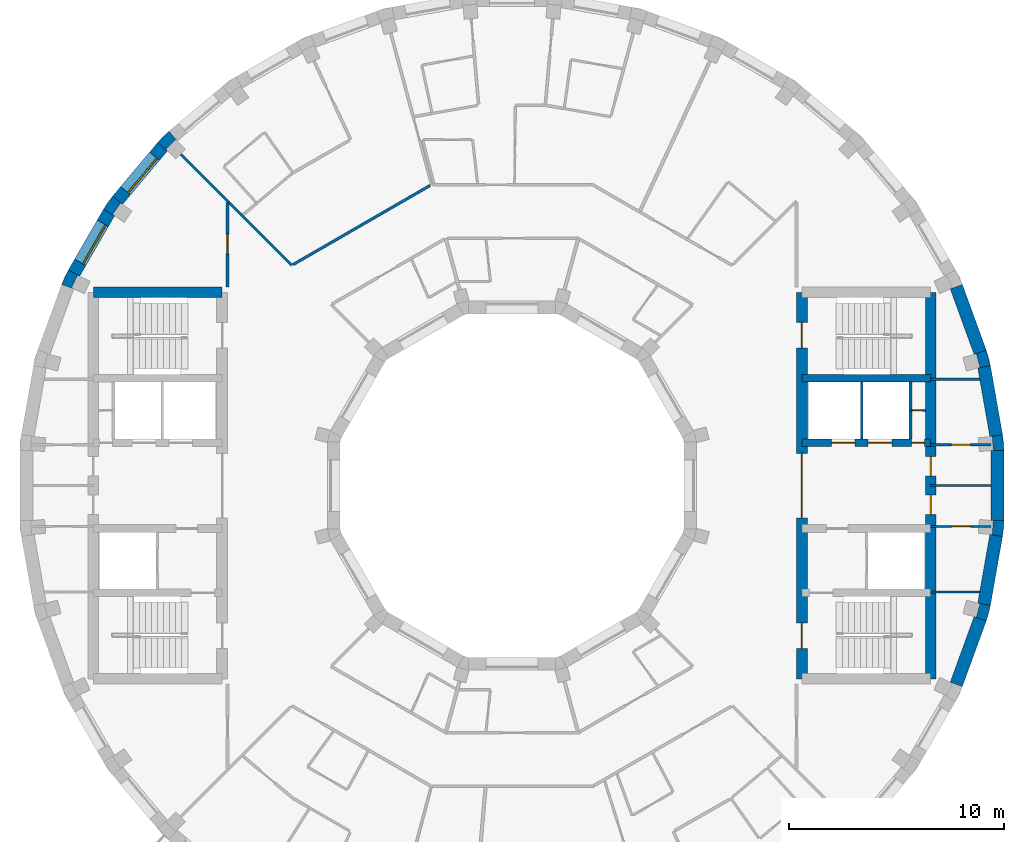
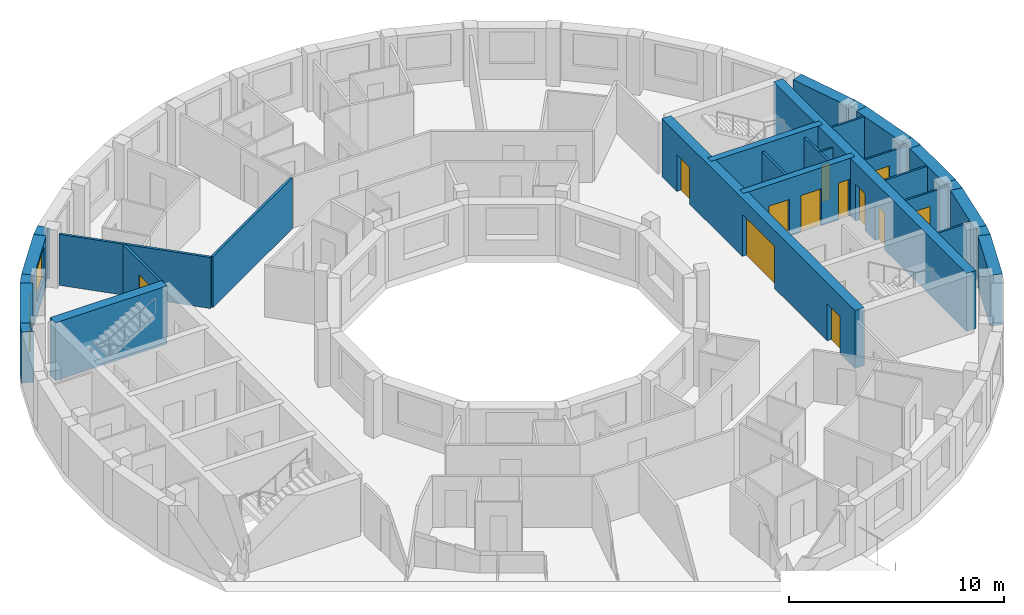
# One storey, part 8 of 12: 30 walls, 12 doors, 2 windows, 14 openings.
"""IFC4 building model written with IfcOpenShell, lengths in metres."""

import ifcopenshell
import ifcopenshell.guid

model = None  # the IFC model being written
_history = None  # IfcOwnerHistory: only IFC2X3 demands one
_inside = {}  # id of a spatial element -> (the spatial element, [elements in it])
_under = {}  # id of a project, library or spatial element -> (it, [spatial elements below it])
_declared = {}  # id of a project -> (the project, [libraries it declares])
_typed = {}  # id of a type object -> (the type object, [elements of that type])
_made_of = {}  # id of a material, layer set ... -> (it, [elements and type objects made of it])


def new_model(schema):
    """Start an empty IFC model of exactly this schema.

    Asked for "IFC4X3", IfcOpenShell would pick the latest addendum, in which some entities
    have other attributes; the version numbers below select the first issue.
    IFC2X3 requires an IfcOwnerHistory on every rooted entity: one is made here for all.
    """
    global model, _history
    if schema == "IFC4X3":
        model = ifcopenshell.file(schema_version=(4, 3, 0, 0))
    else:
        model = ifcopenshell.file(schema=schema)
    _inside.clear()
    _under.clear()
    _declared.clear()
    _typed.clear()
    _made_of.clear()
    _history = None
    if model.schema == "IFC2X3":
        org = make("IfcOrganization", Name="unknown")
        user = make(
            "IfcPersonAndOrganization",
            ThePerson=make("IfcPerson", FamilyName="unknown"),
            TheOrganization=org,
        )
        app = make(
            "IfcApplication",
            ApplicationDeveloper=org,
            Version="unknown",
            ApplicationFullName="unknown",
            ApplicationIdentifier="unknown",
        )
        _history = make(
            "IfcOwnerHistory",
            OwningUser=user,
            OwningApplication=app,
            ChangeAction="ADDED",
            CreationDate=0,
        )
    return model


def make(cls, **values):
    """One entity of the class cls with the attributes given. An attribute that is None is left unset."""
    return model.create_entity(
        cls, **{name: value for name, value in values.items() if value is not None}
    )


def rooted(cls, **values):
    """An entity with a GlobalId (a new one), such as an element, a storey or a relation."""
    return make(cls, GlobalId=ifcopenshell.guid.new(), OwnerHistory=_history, **values)


def si_unit(unit_type, name, prefix=None):
    """IfcSIUnit, for example si_unit("LENGTHUNIT", "METRE", prefix="MILLI")."""
    return make("IfcSIUnit", UnitType=unit_type, Prefix=prefix, Name=name)


def assignment(units):
    """IfcUnitAssignment: the units of a project."""
    return None if units is None else make("IfcUnitAssignment", Units=units)


def point(xyz):
    """IfcCartesianPoint."""
    return None if xyz is None else make("IfcCartesianPoint", Coordinates=xyz)


def direction(xyz):
    """IfcDirection."""
    return None if xyz is None else make("IfcDirection", DirectionRatios=xyz)


def frame(location, z_axis=None, x_axis=None):
    """IfcAxis2Placement3D, a coordinate frame: its origin and axes. An axis left out is left unset."""
    return make(
        "IfcAxis2Placement3D",
        Location=point(location),
        Axis=direction(z_axis),
        RefDirection=direction(x_axis),
    )


def frame_2d(location, x_axis=None):
    """IfcAxis2Placement2D, a coordinate frame in the plane: its origin and x axis."""
    return make(
        "IfcAxis2Placement2D", Location=point(location), RefDirection=direction(x_axis)
    )


def origin():
    """The frame at (0, 0, 0) with its axes left unset."""
    return frame((0.0, 0.0, 0.0))


def place(relative_to, where):
    """IfcLocalPlacement: puts the frame where relative to a parent placement (None: the world)."""
    return make(
        "IfcLocalPlacement", PlacementRelTo=relative_to, RelativePlacement=where
    )


def context(
    kind, dimensions, precision=None, world=None, true_north=None, identifier=None
):
    """IfcGeometricRepresentationContext, for example the 3D "Model" context."""
    return make(
        "IfcGeometricRepresentationContext",
        ContextIdentifier=identifier,
        ContextType=kind,
        CoordinateSpaceDimension=dimensions,
        Precision=precision,
        WorldCoordinateSystem=world,
        TrueNorth=true_north,
    )


def subcontext(parent, identifier, kind, view, scale=None):
    """IfcGeometricRepresentationSubContext, for example "Body" below "Model"."""
    return make(
        "IfcGeometricRepresentationSubContext",
        ContextIdentifier=identifier,
        ContextType=kind,
        ParentContext=parent,
        TargetScale=scale,
        TargetView=view,
    )


def project(units=None, contexts=None):
    """IfcProject with its units and contexts."""
    return rooted(
        "IfcProject",
        Name="project",
        RepresentationContexts=contexts,
        UnitsInContext=assignment(units),
    )


def spatial(cls, under=None, at=None, **own):
    """A site, building, storey or space (cls), placed at a placement, below another one or the project."""
    s = rooted(cls, ObjectPlacement=at, **own)
    if under is not None:
        _under.setdefault(under.id(), (under, []))[1].append(s)
    return s


def polyline(points):
    """IfcPolyline through the points."""
    return make("IfcPolyline", Points=[point(p) for p in points])


def profile(cls, at=None, kind="AREA", **sizes):
    """A parametric profile (cls). Its sizes go by their IFC names, for example OverallWidth=200.0."""
    return make(cls, ProfileType=kind, Position=at, **sizes)


def rectangle(**sizes):
    """IfcRectangleProfileDef."""
    return profile("IfcRectangleProfileDef", **sizes)


def outline(outer, holes=None, kind="AREA"):
    """IfcArbitraryClosedProfileDef: a profile drawn as a closed curve; with holes, ...WithVoids."""
    if holes is None:
        return make("IfcArbitraryClosedProfileDef", ProfileType=kind, OuterCurve=outer)
    return make(
        "IfcArbitraryProfileDefWithVoids",
        ProfileType=kind,
        OuterCurve=outer,
        InnerCurves=holes,
    )


def extrude(swept, where, along, depth):
    """IfcExtrudedAreaSolid: the profile swept, set in the frame where, extruded along a direction by depth."""
    return make(
        "IfcExtrudedAreaSolid",
        SweptArea=swept,
        Position=where,
        ExtrudedDirection=direction(along),
        Depth=depth,
    )


def shape(context_of_items, identifier, shape_type, items):
    """IfcShapeRepresentation: the items that make up one representation, for example the "Body"."""
    return make(
        "IfcShapeRepresentation",
        ContextOfItems=context_of_items,
        RepresentationIdentifier=identifier,
        RepresentationType=shape_type,
        Items=items,
    )


def material(Name=None, Category=None):
    """IfcMaterial."""
    return make("IfcMaterial", Name=Name, Category=Category)


def layer(
    of_material, thickness, ventilated=None, Name=None, Category=None, Priority=None
):
    """IfcMaterialLayer: one layer of a wall or slab, of a material (None: an air gap)."""
    return make(
        "IfcMaterialLayer",
        Material=of_material,
        LayerThickness=thickness,
        IsVentilated=ventilated,
        Name=Name,
        Category=Category,
        Priority=Priority,
    )


def layer_set(layers, Name=None):
    """IfcMaterialLayerSet."""
    return make("IfcMaterialLayerSet", MaterialLayers=layers, LayerSetName=Name)


def made_of(thing, what):
    """Note that an element or type object is made of a material, layer set ...; save() writes the relation."""
    if what is not None:
        _made_of.setdefault(what.id(), (what, []))[1].append(thing)
    return thing


def type_object(cls, material=None, **own):
    """A type object (cls), such as IfcWallType, which elements share."""
    return made_of(rooted(cls, **own), material)


def element(
    cls,
    number,
    at=None,
    inside=None,
    cuts=None,
    type_object=None,
    material=None,
    context=None,
    identifier="Body",
    shape_type=None,
    held_by="IfcProductDefinitionShape",
    body=None,
    shapes=None,
    **own,
):
    """One element of the class cls, such as IfcWall. Its Tag is "e" and its number.

    at: its placement. inside: the storey or other place that contains it. cuts: it is an
    opening in that element (IfcRelVoidsElement). A single representation is given by context,
    identifier, shape_type and body (its items); several are given by shapes. held_by: the class
    of the entity that holds the representations. save() writes the other relations.
    """
    e = rooted(cls, Tag="e%d" % number, ObjectPlacement=at, **own)
    if body is not None:
        shapes = [shape(context, identifier, shape_type, body)]
    if shapes is not None:
        e.Representation = make(held_by, Representations=shapes)
    if inside is not None:
        _inside.setdefault(inside.id(), (inside, []))[1].append(e)
    if cuts is not None:
        rooted(
            "IfcRelVoidsElement", RelatingBuildingElement=cuts, RelatedOpeningElement=e
        )
    if type_object is not None:
        _typed.setdefault(type_object.id(), (type_object, []))[1].append(e)
    return made_of(e, material)


def fill(opening, filler):
    """IfcRelFillsElement: the door or window that sits in an opening."""
    return rooted(
        "IfcRelFillsElement",
        RelatingOpeningElement=opening,
        RelatedBuildingElement=filler,
    )


def aggregate(whole, parts):
    """IfcRelAggregates: a whole, such as a stair, and the parts it consists of."""
    return rooted("IfcRelAggregates", RelatingObject=whole, RelatedObjects=parts)


def save(model, path):
    """Write the relations noted so far, then the file.

    IfcRelAggregates (storeys below a building ...), IfcRelContainedInSpatialStructure (elements
    in a storey), IfcRelDefinesByType, IfcRelAssociatesMaterial and IfcRelDeclares: one each for
    every whole, place, type object, material and project.
    """
    for whole, parts in _under.values():
        aggregate(whole, parts)
    for where, things in _inside.values():
        rooted(
            "IfcRelContainedInSpatialStructure",
            RelatedElements=things,
            RelatingStructure=where,
        )
    for kind, things in _typed.values():
        rooted("IfcRelDefinesByType", RelatedObjects=things, RelatingType=kind)
    for what, things in _made_of.values():
        rooted("IfcRelAssociatesMaterial", RelatedObjects=things, RelatingMaterial=what)
    for by, libraries in _declared.values():
        rooted("IfcRelDeclares", RelatingContext=by, RelatedDefinitions=libraries)
    model.write(path)


model = new_model("IFC4")

# Units and contexts
model_context = context("Model", 3, precision=1e-05, world=origin(), true_north=direction((0.0, 1.0)))
body_context = subcontext(model_context, "Body", "Model", "MODEL_VIEW")
ifc_project = project(units=[si_unit("LENGTHUNIT", "METRE"), si_unit("AREAUNIT", "SQUARE_METRE"), si_unit("VOLUMEUNIT", "CUBIC_METRE"), si_unit("PLANEANGLEUNIT", "RADIAN"), si_unit("MASSUNIT", "GRAM", prefix="KILO")], contexts=[model_context])

# Site, building, storey
site_placement = place(None, origin())
site = spatial("IfcSite", under=ifc_project, at=site_placement, CompositionType="ELEMENT")
building_placement = place(site_placement, origin())
building = spatial("IfcBuilding", under=site, at=building_placement, Name="Saqina Gate Tower", CompositionType="ELEMENT")
storey_placement = place(building_placement, frame((0.0, 0.0, 272.60009765625)))
storey = spatial("IfcBuildingStorey", under=building, at=storey_placement, Name="L78", CompositionType="ELEMENT", Elevation=272.60009765625)

# Walls
ifc_material_1 = material(Name="Brick masonry (buff)", Category="masonry")
wall_type_1 = type_object("IfcWallType", Name="BRICK PIER COPING BUFF", PredefinedType="SOLIDWALL", material=ifc_material_1)
wall_1_placement = place(storey_placement, origin())
element("IfcWall", 1, at=wall_1_placement, inside=storey, type_object=wall_type_1, Name="Pier cap L78 column 1", PredefinedType="SOLIDWALL", context=body_context, shape_type="SweptSolid", body=[
    extrude(outline(polyline([(22.91259765625, 1.625732421875), (22.8466796875, 2.377685546875), (22.255859375, 2.2734375), (22.361083984375, 2.28271484375), (22.417724609375, 1.635009765625), (22.3125, 1.625732421875), (22.91259765625, 1.625732421875)])), origin(), (0.0, 0.0, 1.0), 2.89990234375),
])
wall_2_placement = place(storey_placement, origin())
element("IfcWall", 2, at=wall_2_placement, inside=storey, type_object=wall_type_1, Name="Pier cap L78 column 2", PredefinedType="SOLIDWALL", context=body_context, shape_type="SweptSolid", body=[
    extrude(outline(polyline([(22.0869140625, 6.30859375), (21.52294921875, 6.103515625), (21.625, 6.130859375), (21.793212890625, 5.5029296875), (21.691162109375, 5.4755859375), (22.281982421875, 5.579833984375), (22.0869140625, 6.30859375)])), origin(), (0.0, 0.0, 1.0), 2.89990234375),
])
wall_3_placement = place(storey_placement, origin())
element("IfcWall", 3, at=wall_3_placement, inside=storey, type_object=wall_type_1, Name="Pier cap L78 column 14", PredefinedType="SOLIDWALL", context=body_context, shape_type="SweptSolid", body=[
    extrude(outline(polyline([(-16.5068359375, 15.973388671875), (-16.04736328125, 15.587646484375), (-16.1220703125, 15.662353515625), (-15.662353515625, 16.1220703125), (-15.587646484375, 16.04736328125), (-15.973388671875, 16.5068359375), (-16.5068359375, 15.973388671875)])), origin(), (0.0, 0.0, 1.0), 2.89990234375),
])
wall_4_placement = place(storey_placement, origin())
element("IfcWall", 4, at=wall_4_placement, inside=storey, type_object=wall_type_1, Name="Pier cap L78 column 15", PredefinedType="SOLIDWALL", context=body_context, shape_type="SweptSolid", body=[
    extrude(outline(polyline([(-19.02978515625, 12.8642578125), (-18.51025390625, 12.564208984375), (-18.596923828125, 12.625), (-18.22412109375, 13.157470703125), (-18.137451171875, 13.0966796875), (-18.59716796875, 13.482421875), (-19.02978515625, 12.8642578125)])), origin(), (0.0, 0.0, 1.0), 2.89990234375),
])
wall_5_placement = place(storey_placement, origin())
element("IfcWall", 5, at=wall_5_placement, inside=storey, type_object=wall_type_1, Name="Pier cap L78 column 16", PredefinedType="SOLIDWALL", context=body_context, shape_type="SweptSolid", body=[
    extrude(outline(polyline([(-20.65576171875, 10.048095703125), (-20.974609375, 9.3642578125), (-20.410888671875, 9.1591796875), (-20.506591796875, 9.203857421875), (-20.23193359375, 9.79296875), (-20.135986328125, 9.748291015625), (-20.65576171875, 10.048095703125)])), origin(), (0.0, 0.0, 1.0), 2.89990234375),
])
wall_6_placement = place(storey_placement, origin())
element("IfcWall", 6, at=wall_6_placement, inside=storey, type_object=wall_type_1, Name="Pier cap L78 column 35", PredefinedType="SOLIDWALL", context=body_context, shape_type="SweptSolid", body=[
    extrude(outline(polyline([(22.281982421875, -5.579833984375), (21.691162109375, -5.4755859375), (21.793212890625, -5.5029296875), (21.625, -6.130859375), (21.52294921875, -6.103515625), (22.0869140625, -6.30859375), (22.281982421875, -5.579833984375)])), origin(), (0.0, 0.0, 1.0), 2.89990234375),
])
wall_7_placement = place(storey_placement, origin())
element("IfcWall", 7, at=wall_7_placement, inside=storey, type_object=wall_type_1, Name="Pier cap L78 column 36", PredefinedType="SOLIDWALL", context=body_context, shape_type="SweptSolid", body=[
    extrude(outline(polyline([(22.8466796875, -2.377685546875), (22.91259765625, -1.625732421875), (22.3125, -1.625732421875), (22.417724609375, -1.635009765625), (22.361083984375, -2.28271484375), (22.255859375, -2.2734375), (22.8466796875, -2.377685546875)])), origin(), (0.0, 0.0, 1.0), 2.89990234375),
])

# Wall, opening, door
ifc_material_2 = material(Name="Gypsum board on steel studs", Category="steel")
ifc_layer_1 = layer(ifc_material_2, 0.10009765625)
ifc_layer_set_1 = layer_set([ifc_layer_1], Name="CORE PARTITION")
wall_type_2 = type_object("IfcWallType", Name="CORE PARTITION", PredefinedType="PARTITIONING", material=ifc_layer_set_1)
wall_8_placement = place(storey_placement, frame((18.56005859375, 3.5, 0.0), z_axis=(0.0, 0.0, 1.0), x_axis=(1.0, 0.0, 0.0)))
wall_8 = element("IfcWall", 8, at=wall_8_placement, inside=storey, type_object=wall_type_2, Name="L78-CP-E01", PredefinedType="PARTITIONING", context=body_context, shape_type="SweptSolid", body=[
    extrude(rectangle(XDim=0.68994140625, YDim=0.10009765625, at=frame_2d((0.344970703125, 0.0))), origin(), (0.0, 0.0, 1.0), 2.89990234375),
])
opening_1_placement = place(wall_8_placement, frame((0.10009765625, 0.0, 0.0)))
opening_1 = element("IfcOpeningElement", 9, at=opening_1_placement, cuts=wall_8, Name="Opening G23-D96", PredefinedType="OPENING", context=body_context, shape_type="SweptSolid", body=[
    extrude(rectangle(XDim=0.449951171875, YDim=2.10009765625, at=frame_2d((0.22509765625, 1.050048828125))), frame((0.0, 0.06201171875, 0.0), z_axis=(0.0, -1.0, 0.0), x_axis=(1.0, 0.0, 0.0)), (0.0, 0.0, 1.0), 0.1240234375),
])
ifc_material_3 = material(Name="Steel-framed fire door leaf, EI 60", Category="steel")
door_type_1 = type_object("IfcDoorType", Name="SERVICE ROOM DOOR 450", OperationType="SINGLE_SWING_LEFT", PredefinedType="DOOR", material=ifc_material_3)
door_1_placement = place(opening_1_placement, origin())
door_1 = element("IfcDoor", 10, at=door_1_placement, inside=storey, type_object=door_type_1, Name="L78-CD-E07", OperationType="SINGLE_SWING_RIGHT", OverallHeight=2.10009765625, OverallWidth=0.449951171875, PredefinedType="DOOR", context=body_context, shape_type="SweptSolid", body=[
    extrude(rectangle(XDim=0.449951171875, YDim=2.10009765625, at=frame_2d((0.22509765625, 1.050048828125))), frame((0.0, 0.02490234375, 0.0), z_axis=(0.0, -1.0, 0.0), x_axis=(1.0, 0.0, 0.0)), (0.0, 0.0, 1.0), 0.050048828125),
])
fill(opening_1, door_1)

# Wall
wall_9_placement = place(storey_placement, frame((19.5, 4.949951171875, 0.0), z_axis=(0.0, 0.0, 1.0), x_axis=(1.0, 0.0, 0.0)))
element("IfcWall", 11, at=wall_9_placement, inside=storey, type_object=wall_type_2, Name="L78-CP-E02", PredefinedType="PARTITIONING", context=body_context, shape_type="SweptSolid", body=[
    extrude(rectangle(XDim=2.283935546875, YDim=0.10009765625, at=frame_2d((1.14208984375, 0.0))), origin(), (0.0, 0.0, 1.0), 2.89990234375),
])

# Wall, opening, door
wall_10_placement = place(storey_placement, frame((19.5, 1.89990234375, 0.0), z_axis=(0.0, 0.0, 1.0), x_axis=(1.0, 0.0, 0.0)))
wall_10 = element("IfcWall", 12, at=wall_10_placement, inside=storey, type_object=wall_type_2, Name="L78-CP-E03", PredefinedType="PARTITIONING", context=body_context, shape_type="SweptSolid", body=[
    extrude(rectangle(XDim=2.8125, YDim=0.10009765625, at=frame_2d((1.40625, 0.0))), origin(), (0.0, 0.0, 1.0), 2.89990234375),
])
opening_2_placement = place(wall_10_placement, frame((0.956298828125, 0.0, 0.0)))
opening_2 = element("IfcOpeningElement", 13, at=opening_2_placement, cuts=wall_10, Name="Opening G23-D92", PredefinedType="OPENING", context=body_context, shape_type="SweptSolid", body=[
    extrude(rectangle(XDim=0.89990234375, YDim=2.10009765625, at=frame_2d((0.449951171875, 1.050048828125))), frame((0.0, 0.06201171875, 0.0), z_axis=(0.0, -1.0, 0.0), x_axis=(1.0, 0.0, 0.0)), (0.0, 0.0, 1.0), 0.1240234375),
])
ifc_material_4 = material(Name="Steel-framed fire door leaf, EI 60", Category="steel")
door_type_2 = type_object("IfcDoorType", Name="SERVICE ROOM DOOR 900", OperationType="SINGLE_SWING_LEFT", PredefinedType="DOOR", material=ifc_material_4)
door_2_placement = place(opening_2_placement, origin())
door_2 = element("IfcDoor", 14, at=door_2_placement, inside=storey, type_object=door_type_2, Name="L78-CD-E03", OperationType="SINGLE_SWING_RIGHT", OverallHeight=2.10009765625, OverallWidth=0.89990234375, PredefinedType="DOOR", context=body_context, shape_type="SweptSolid", body=[
    extrude(rectangle(XDim=0.89990234375, YDim=2.10009765625, at=frame_2d((0.449951171875, 1.050048828125))), frame((0.0, 0.02490234375, 0.0), z_axis=(0.0, -1.0, 0.0), x_axis=(1.0, 0.0, 0.0)), (0.0, 0.0, 1.0), 0.050048828125),
])
fill(opening_2, door_2)

# Wall
wall_11_placement = place(storey_placement, frame((19.5, -4.949951171875, 0.0), z_axis=(0.0, 0.0, 1.0), x_axis=(1.0, 0.0, 0.0)))
element("IfcWall", 15, at=wall_11_placement, inside=storey, type_object=wall_type_2, Name="L78-CP-E04", PredefinedType="PARTITIONING", context=body_context, shape_type="SweptSolid", body=[
    extrude(rectangle(XDim=2.283935546875, YDim=0.10009765625, at=frame_2d((1.14208984375, 0.0))), origin(), (0.0, 0.0, 1.0), 2.89990234375),
])

# Wall, opening, door
wall_12_placement = place(storey_placement, frame((19.5, -1.89990234375, 0.0), z_axis=(0.0, 0.0, 1.0), x_axis=(1.0, 0.0, 0.0)))
wall_12 = element("IfcWall", 16, at=wall_12_placement, inside=storey, type_object=wall_type_2, Name="L78-CP-E05", PredefinedType="PARTITIONING", context=body_context, shape_type="SweptSolid", body=[
    extrude(rectangle(XDim=2.8125, YDim=0.10009765625, at=frame_2d((1.40625, 0.0))), origin(), (0.0, 0.0, 1.0), 2.89990234375),
])
opening_3_placement = place(wall_12_placement, frame((0.956298828125, 0.0, 0.0)))
opening_3 = element("IfcOpeningElement", 17, at=opening_3_placement, cuts=wall_12, Name="Opening G23-D94", PredefinedType="OPENING", context=body_context, shape_type="SweptSolid", body=[
    extrude(rectangle(XDim=0.89990234375, YDim=2.10009765625, at=frame_2d((0.449951171875, 1.050048828125))), frame((0.0, 0.06201171875, 0.0), z_axis=(0.0, -1.0, 0.0), x_axis=(1.0, 0.0, 0.0)), (0.0, 0.0, 1.0), 0.1240234375),
])
door_3_placement = place(opening_3_placement, frame((0.89990234375, 0.0, 0.0), z_axis=(0.0, 0.0, 1.0), x_axis=(-1.0, 0.0, 0.0)))
door_3 = element("IfcDoor", 18, at=door_3_placement, inside=storey, type_object=door_type_2, Name="L78-CD-E05", OperationType="SINGLE_SWING_LEFT", OverallHeight=2.10009765625, OverallWidth=0.89990234375, PredefinedType="DOOR", context=body_context, shape_type="SweptSolid", body=[
    extrude(rectangle(XDim=0.89990234375, YDim=2.10009765625, at=frame_2d((0.449951171875, 1.050048828125))), frame((0.0, 0.02490234375, 0.0), z_axis=(0.0, -1.0, 0.0), x_axis=(1.0, 0.0, 0.0)), (0.0, 0.0, 1.0), 0.050048828125),
])
fill(opening_3, door_3)

# Wall
wall_13_placement = place(storey_placement, frame((19.5, 0.0, 0.0), z_axis=(0.0, 0.0, 1.0), x_axis=(1.0, 0.0, 0.0)))
element("IfcWall", 19, at=wall_13_placement, inside=storey, type_object=wall_type_2, Name="L78-CP-E06", PredefinedType="PARTITIONING", context=body_context, shape_type="SweptSolid", body=[
    extrude(rectangle(XDim=2.8125, YDim=0.10009765625, at=frame_2d((1.40625, 0.0))), origin(), (0.0, 0.0, 1.0), 2.89990234375),
])

# Wall, opening, window
ifc_material_5 = material(Name="Brick masonry (buff)", Category="masonry")
ifc_layer_2 = layer(ifc_material_5, 0.60009765625)
ifc_layer_set_2 = layer_set([ifc_layer_2], Name="FW-BRICK-BUFF")
wall_type_3 = type_object("IfcWallType", Name="FW-BRICK-BUFF", PredefinedType="SOLIDWALL", material=ifc_layer_set_2)
wall_14_placement = place(storey_placement, frame((-16.277099609375, 15.780517578125, 0.0), z_axis=(0.0, 0.0, 1.0), x_axis=(-0.64277291405, -0.766056773982, 0.0)))
wall_14 = element("IfcWall", 20, at=wall_14_placement, inside=storey, type_object=wall_type_3, Name="Facade wall L78 facet 14", PredefinedType="SOLIDWALL", context=body_context, shape_type="SweptSolid", body=[
    extrude(rectangle(XDim=3.251708984375, YDim=0.60009765625, at=frame_2d((1.6259765625, 0.0))), origin(), (0.0, 0.0, 1.0), 2.89990234375),
])
opening_4_placement = place(wall_14_placement, frame((0.57568359375, 0.0, 0.89990234375)))
opening_4 = element("IfcOpeningElement", 21, at=opening_4_placement, cuts=wall_14, Name="Opening G23-W12", PredefinedType="OPENING", context=body_context, shape_type="SweptSolid", body=[
    extrude(rectangle(XDim=2.10009765625, YDim=1.800048828125, at=frame_2d((1.050048828125, 0.89990234375))), frame((0.0, 0.31201171875, 0.0), z_axis=(0.0, -1.0, 0.0), x_axis=(1.0, 0.0, 0.0)), (0.0, 0.0, 1.0), 0.6240234375),
])
ifc_material_6 = material(Name="Aluminium glazing", Category="aluminium")
window_type = type_object("IfcWindowType", Name="WN-D", PartitioningType="SINGLE_PANEL", PredefinedType="WINDOW", material=ifc_material_6)
window_1_placement = place(opening_4_placement, origin())
window_1 = element("IfcWindow", 22, at=window_1_placement, inside=storey, type_object=window_type, Name="Window L78 facet 14", OverallHeight=1.800048828125, OverallWidth=2.10009765625, PartitioningType="SINGLE_PANEL", PredefinedType="WINDOW", context=body_context, shape_type="SweptSolid", body=[
    extrude(rectangle(XDim=2.10009765625, YDim=1.800048828125, at=frame_2d((1.050048828125, 0.89990234375))), frame((0.0, 0.179931640625, 0.0), z_axis=(0.0, -1.0, 0.0), x_axis=(1.0, 0.0, 0.0)), (0.0, 0.0, 1.0), 0.06005859375),
])
fill(opening_4, window_1)

wall_15_placement = place(storey_placement, frame((-18.77001953125, 12.71435546875, 0.0), z_axis=(0.0, 0.0, 1.0), x_axis=(-0.500014901547, -0.866016800201, 0.0)))
wall_15 = element("IfcWall", 23, at=wall_15_placement, inside=storey, type_object=wall_type_3, Name="Facade wall L78 facet 15", PredefinedType="SOLIDWALL", context=body_context, shape_type="SweptSolid", body=[
    extrude(rectangle(XDim=3.251953125, YDim=0.60009765625, at=frame_2d((1.6259765625, 0.0))), origin(), (0.0, 0.0, 1.0), 2.89990234375),
])
opening_5_placement = place(wall_15_placement, frame((0.57568359375, 0.0, 0.89990234375)))
opening_5 = element("IfcOpeningElement", 24, at=opening_5_placement, cuts=wall_15, Name="Opening G23-W13", PredefinedType="OPENING", context=body_context, shape_type="SweptSolid", body=[
    extrude(rectangle(XDim=2.10009765625, YDim=1.800048828125, at=frame_2d((1.050048828125, 0.89990234375))), frame((0.0, 0.31201171875, 0.0), z_axis=(0.0, -1.0, 0.0), x_axis=(1.0, 0.0, 0.0)), (0.0, 0.0, 1.0), 0.6240234375),
])
window_2_placement = place(opening_5_placement, origin())
window_2 = element("IfcWindow", 25, at=window_2_placement, inside=storey, type_object=window_type, Name="Window L78 facet 15", OverallHeight=1.800048828125, OverallWidth=2.10009765625, PartitioningType="SINGLE_PANEL", PredefinedType="WINDOW", context=body_context, shape_type="SweptSolid", body=[
    extrude(rectangle(XDim=2.10009765625, YDim=1.800048828125, at=frame_2d((1.050048828125, 0.89990234375))), frame((0.0, 0.179931640625, 0.0), z_axis=(0.0, -1.0, 0.0), x_axis=(1.0, 0.0, 0.0)), (0.0, 0.0, 1.0), 0.06005859375),
])
fill(opening_5, window_2)

# Walls
ifc_material_7 = material(Name="Glazed ceramic tile", Category="ceramic")
ifc_layer_3 = layer(ifc_material_7, 0.60009765625)
ifc_layer_set_3 = layer_set([ifc_layer_3], Name="FW-TILE")
wall_type_4 = type_object("IfcWallType", Name="FW-TILE", PredefinedType="SOLIDWALL", material=ifc_layer_set_3)
for number, where, z_axis, x_axis, name in (
    (26, (22.55126953125, 2.325439453125, 0.0), (0.0, 0.0, 1.0), (-0.173656842178, 0.984806225186, 0.0), "Facade wall L78 facet 1"),
    (27, (21.986572265625, -5.52783203125, 0.0), (0.0, 0.0, 1.0), (0.173656842178, 0.984806225186, 0.0), "Facade wall L78 facet 35"),
):
    element("IfcWall", number, at=place(storey_placement, frame(where, z_axis=z_axis, x_axis=x_axis)), inside=storey, type_object=wall_type_4, Name=name, PredefinedType="SOLIDWALL", context=body_context, shape_type="SweptSolid", body=[
        extrude(rectangle(XDim=3.251708984375, YDim=0.60009765625, at=frame_2d((1.6259765625, 0.0))), origin(), (0.0, 0.0, 1.0), 2.89990234375),
    ])
ifc_material_8 = material(Name="Glazed ceramic tile (dark blue)", Category="ceramic")
ifc_layer_4 = layer(ifc_material_8, 0.60009765625)
ifc_layer_set_4 = layer_set([ifc_layer_4], Name="FW-TILE-CB")
wall_type_5 = type_object("IfcWallType", Name="FW-TILE-CB", PredefinedType="SOLIDWALL", material=ifc_layer_set_4)
wall_16_placement = place(storey_placement, frame((22.612548828125, -1.625732421875, 0.0), z_axis=(0.0, 0.0, 1.0), x_axis=(0.0, 1.0, 0.0)))
element("IfcWall", 28, at=wall_16_placement, inside=storey, type_object=wall_type_5, Name="Facade wall L78 facet 36", PredefinedType="SOLIDWALL", context=body_context, shape_type="SweptSolid", body=[
    extrude(rectangle(XDim=3.25146484375, YDim=0.60009765625, at=frame_2d((1.625732421875, 0.0))), origin(), (0.0, 0.0, 1.0), 2.89990234375),
])
ifc_material_9 = material(Name="Glazed ceramic tile (white)", Category="ceramic")
ifc_layer_5 = layer(ifc_material_9, 0.60009765625)
ifc_layer_set_5 = layer_set([ifc_layer_5], Name="FW-TILE-WH")
wall_type_6 = type_object("IfcWallType", Name="FW-TILE-WH", PredefinedType="SOLIDWALL", material=ifc_layer_set_5)
for number, where, z_axis, x_axis, name in (
    (29, (21.804931640625, 6.2060546875, 0.0), (0.0, 0.0, 1.0), (-0.342056509473, 0.939679383794, 0.0), "Facade wall L78 facet 2"),
    (30, (20.692626953125, -9.26171875, 0.0), (0.0, 0.0, 1.0), (0.342056509473, 0.939679383794, 0.0), "Facade wall L78 facet 34"),
):
    element("IfcWall", number, at=place(storey_placement, frame(where, z_axis=z_axis, x_axis=x_axis)), inside=storey, type_object=wall_type_6, Name=name, PredefinedType="SOLIDWALL", context=body_context, shape_type="SweptSolid", body=[
        extrude(rectangle(XDim=3.251708984375, YDim=0.60009765625, at=frame_2d((1.6259765625, 0.0))), origin(), (0.0, 0.0, 1.0), 2.89990234375),
    ])
ifc_material_10 = material(Name="Gypsum board on steel studs, 125 mm, fire rated", Category="steel")
ifc_layer_6 = layer(ifc_material_10, 0.125)
ifc_layer_set_6 = layer_set([ifc_layer_6], Name="PARTITION EI 30 125")
wall_type_7 = type_object("IfcWallType", Name="PARTITION EI 30 125", PredefinedType="PARTITIONING", material=ifc_layer_set_6)
wall_17_placement = place(storey_placement, frame((-15.425537109375, 15.425537109375, 0.0), z_axis=(0.0, 0.0, 1.0), x_axis=(0.707106781187, -0.707106781187, 0.0)))
element("IfcWall", 31, at=wall_17_placement, inside=storey, type_object=wall_type_7, Name="PARTITION PW1-07", PredefinedType="PARTITIONING", context=body_context, shape_type="SweptSolid", body=[
    extrude(rectangle(XDim=7.310791015625, YDim=0.125, at=frame_2d((3.6552734375, 0.0))), origin(), (0.0, 0.0, 1.0), 2.89990234375),
])
wall_18_placement = place(storey_placement, frame((-10.201904296875, 10.287353515625, 0.0), z_axis=(0.0, 0.0, 1.0), x_axis=(0.866028642731, 0.499994389938, 0.0)))
element("IfcWall", 32, at=wall_18_placement, inside=storey, type_object=wall_type_7, Name="PARTITION PW1-29", PredefinedType="PARTITIONING", context=body_context, shape_type="SweptSolid", body=[
    extrude(rectangle(XDim=7.3828125, YDim=0.125, at=frame_2d((3.69140625, 0.0))), origin(), (0.0, 0.0, 1.0), 2.89990234375),
])

# Wall, opening, door
wall_19_placement = place(storey_placement, frame((-13.25, 9.25, 0.0), z_axis=(0.0, 0.0, 1.0), x_axis=(0.0, 1.0, 0.0)))
wall_19 = element("IfcWall", 33, at=wall_19_placement, inside=storey, type_object=wall_type_7, Name="PARTITION PW1-42", PredefinedType="PARTITIONING", context=body_context, shape_type="SweptSolid", body=[
    extrude(rectangle(XDim=3.9375, YDim=0.125, at=frame_2d((1.96875, 0.0))), origin(), (0.0, 0.0, 1.0), 2.89990234375),
])
opening_6_placement = place(wall_19_placement, frame((1.550048828125, 0.0, 0.0)))
opening_6 = element("IfcOpeningElement", 34, at=opening_6_placement, cuts=wall_19, Name="Opening G23-D20", PredefinedType="OPENING", context=body_context, shape_type="SweptSolid", body=[
    extrude(rectangle(XDim=0.89990234375, YDim=2.10009765625, at=frame_2d((0.449951171875, 1.050048828125))), frame((0.0, 0.074462890625, 0.0), z_axis=(0.0, -1.0, 0.0), x_axis=(1.0, 0.0, 0.0)), (0.0, 0.0, 1.0), 0.14892578125),
])
ifc_material_11 = material(Name="Fire door leaf EI 30, 900 mm")
door_type_3 = type_object("IfcDoorType", Name="DOOR 900 EI 30", OperationType="SINGLE_SWING_LEFT", PredefinedType="DOOR", material=ifc_material_11)
door_4_placement = place(opening_6_placement, origin())
door_4 = element("IfcDoor", 35, at=door_4_placement, inside=storey, type_object=door_type_3, Name="DOOR G23-D20", OperationType="SINGLE_SWING_RIGHT", OverallHeight=2.10009765625, OverallWidth=0.89990234375, PredefinedType="DOOR", context=body_context, shape_type="SweptSolid", body=[
    extrude(rectangle(XDim=0.89990234375, YDim=2.10009765625, at=frame_2d((0.449951171875, 1.050048828125))), frame((0.0, 0.02490234375, 0.0), z_axis=(0.0, -1.0, 0.0), x_axis=(1.0, 0.0, 0.0)), (0.0, 0.0, 1.0), 0.050048828125),
])
fill(opening_6, door_4)

# Walls
ifc_material_12 = material(Name="Autoclaved aerated concrete block", Category="concrete")
ifc_layer_7 = layer(ifc_material_12, 0.1201171875)
ifc_layer_set_7 = layer_set([ifc_layer_7], Name="SHAFT PARTITION")
wall_type_8 = type_object("IfcWallType", Name="SHAFT PARTITION", PredefinedType="PARTITIONING", material=ifc_layer_set_7)
for number, where, z_axis, x_axis, name in (
    (36, (16.280029296875, 2.175048828125, 0.0), (0.0, 0.0, 1.0), (0.0, 1.0, 0.0), "L78-CP-E07"),
    (37, (18.56005859375, 2.175048828125, 0.0), (0.0, 0.0, 1.0), (0.0, 1.0, 0.0), "L78-CP-E08"),
):
    element("IfcWall", number, at=place(storey_placement, frame(where, z_axis=z_axis, x_axis=x_axis)), inside=storey, type_object=wall_type_8, Name=name, PredefinedType="PARTITIONING", context=body_context, shape_type="SweptSolid", body=[
        extrude(rectangle(XDim=2.64990234375, YDim=0.1201171875, at=frame_2d((1.324951171875, 0.0))), origin(), (0.0, 0.0, 1.0), 2.89990234375),
    ])
ifc_material_13 = material(Name="Concrete C60/75", Category="concrete")
ifc_layer_8 = layer(ifc_material_13, 0.35009765625)
ifc_layer_set_8 = layer_set([ifc_layer_8], Name="Concrete C60/75")
wall_type_9 = type_object("IfcWallType", Name="STR-CORE WALL-D-I", PredefinedType="SHEAR", material=ifc_layer_set_8)
wall_20_placement = place(storey_placement, frame((13.5, 5.0, 0.0), z_axis=(0.0, 0.0, 1.0), x_axis=(1.0, 0.0, 0.0)))
element("IfcWall", 38, at=wall_20_placement, inside=storey, type_object=wall_type_9, Name="CORE WALL L78 E-X1", PredefinedType="SHEAR", context=body_context, shape_type="SweptSolid", body=[
    extrude(rectangle(XDim=6.0, YDim=0.35009765625, at=frame_2d((3.0, 0.0))), origin(), (0.0, 0.0, 1.0), 3.2998046875),
])

# Wall, openings, doors
wall_21_placement = place(storey_placement, frame((13.5, 2.0, 0.0), z_axis=(0.0, 0.0, 1.0), x_axis=(1.0, 0.0, 0.0)))
wall_21 = element("IfcWall", 39, at=wall_21_placement, inside=storey, type_object=wall_type_9, Name="CORE WALL L78 E-L1", PredefinedType="SHEAR", context=body_context, shape_type="SweptSolid", body=[
    extrude(rectangle(XDim=6.0, YDim=0.35009765625, at=frame_2d((3.0, 0.0))), origin(), (0.0, 0.0, 1.0), 3.2998046875),
])
opening_7_placement = place(wall_21_placement, frame((1.3701171875, 0.0, 0.0)))
opening_7 = element("IfcOpeningElement", 40, at=opening_7_placement, cuts=wall_21, Name="Opening G23-LD1", PredefinedType="OPENING", context=body_context, shape_type="SweptSolid", body=[
    extrude(rectangle(XDim=1.10009765625, YDim=2.10009765625, at=frame_2d((0.550048828125, 1.050048828125))), frame((0.0, 0.18701171875, 0.0), z_axis=(0.0, -1.0, 0.0), x_axis=(1.0, 0.0, 0.0)), (0.0, 0.0, 1.0), 0.3740234375),
])
opening_8_placement = place(wall_21_placement, frame((3.090087890625, 0.0, 0.0)))
opening_8 = element("IfcOpeningElement", 41, at=opening_8_placement, cuts=wall_21, Name="Opening G23-LD2", PredefinedType="OPENING", context=body_context, shape_type="SweptSolid", body=[
    extrude(rectangle(XDim=1.10009765625, YDim=2.10009765625, at=frame_2d((0.550048828125, 1.050048828125))), frame((0.0, 0.18701171875, 0.0), z_axis=(0.0, -1.0, 0.0), x_axis=(1.0, 0.0, 0.0)), (0.0, 0.0, 1.0), 0.3740234375),
])
opening_9_placement = place(wall_21_placement, frame((5.10498046875, 0.0, 0.0)))
opening_9 = element("IfcOpeningElement", 42, at=opening_9_placement, cuts=wall_21, Name="Opening G23-D90", PredefinedType="OPENING", context=body_context, shape_type="SweptSolid", body=[
    extrude(rectangle(XDim=0.60009765625, YDim=2.10009765625, at=frame_2d((0.300048828125, 1.050048828125))), frame((0.0, 0.18701171875, 0.0), z_axis=(0.0, -1.0, 0.0), x_axis=(1.0, 0.0, 0.0)), (0.0, 0.0, 1.0), 0.3740234375),
])
ifc_material_14 = material(Name="Stainless steel", Category="steel")
door_type_4 = type_object("IfcDoorType", Name="LANDING DOOR", OperationType="DOUBLE_DOOR_SLIDING", PredefinedType="DOOR", material=ifc_material_14)
door_5_placement = place(opening_7_placement, origin())
door_5 = element("IfcDoor", 43, at=door_5_placement, inside=storey, type_object=door_type_4, Name="LANDING DOOR HR1", OperationType="DOUBLE_DOOR_SLIDING", OverallHeight=2.10009765625, OverallWidth=1.10009765625, PredefinedType="DOOR", context=body_context, shape_type="SweptSolid", body=[
    extrude(rectangle(XDim=1.10009765625, YDim=2.10009765625, at=frame_2d((0.550048828125, 1.050048828125))), frame((0.0, 0.02490234375, 0.0), z_axis=(0.0, -1.0, 0.0), x_axis=(1.0, 0.0, 0.0)), (0.0, 0.0, 1.0), 0.050048828125),
])
fill(opening_7, door_5)
door_6_placement = place(opening_8_placement, origin())
door_6 = element("IfcDoor", 44, at=door_6_placement, inside=storey, type_object=door_type_4, Name="LANDING DOOR HR2", OperationType="DOUBLE_DOOR_SLIDING", OverallHeight=2.10009765625, OverallWidth=1.10009765625, PredefinedType="DOOR", context=body_context, shape_type="SweptSolid", body=[
    extrude(rectangle(XDim=1.10009765625, YDim=2.10009765625, at=frame_2d((0.550048828125, 1.050048828125))), frame((0.0, 0.02490234375, 0.0), z_axis=(0.0, -1.0, 0.0), x_axis=(1.0, 0.0, 0.0)), (0.0, 0.0, 1.0), 0.050048828125),
])
fill(opening_8, door_6)
ifc_material_15 = material(Name="Steel-framed fire door leaf, EI 60", Category="steel")
door_type_5 = type_object("IfcDoorType", Name="SERVICE ROOM DOOR 600", OperationType="SINGLE_SWING_LEFT", PredefinedType="DOOR", material=ifc_material_15)
door_7_placement = place(opening_9_placement, origin())
door_7 = element("IfcDoor", 45, at=door_7_placement, inside=storey, type_object=door_type_5, Name="L78-CD-E01", OperationType="SINGLE_SWING_RIGHT", OverallHeight=2.10009765625, OverallWidth=0.60009765625, PredefinedType="DOOR", context=body_context, shape_type="SweptSolid", body=[
    extrude(rectangle(XDim=0.60009765625, YDim=2.10009765625, at=frame_2d((0.300048828125, 1.050048828125))), frame((0.0, 0.02490234375, 0.0), z_axis=(0.0, -1.0, 0.0), x_axis=(1.0, 0.0, 0.0)), (0.0, 0.0, 1.0), 0.050048828125),
])
fill(opening_9, door_7)

ifc_material_16 = material(Name="Concrete C60/75", Category="concrete")
ifc_layer_9 = layer(ifc_material_16, 0.5)
ifc_layer_set_9 = layer_set([ifc_layer_9], Name="Concrete C60/75")
wall_type_10 = type_object("IfcWallType", Name="STR-CORE WALL-D-O", PredefinedType="SHEAR", material=ifc_layer_set_9)
wall_22_placement = place(storey_placement, frame((13.5, -9.0, 0.0), z_axis=(0.0, 0.0, 1.0), x_axis=(0.0, 1.0, 0.0)))
wall_22 = element("IfcWall", 46, at=wall_22_placement, inside=storey, type_object=wall_type_10, Name="CORE WALL L78 E-W1", PredefinedType="SHEAR", context=body_context, shape_type="SweptSolid", body=[
    extrude(rectangle(XDim=18.0, YDim=0.5, at=frame_2d((9.0, 0.0))), origin(), (0.0, 0.0, 1.0), 3.2998046875),
])
opening_10_placement = place(wall_22_placement, frame((15.39990234375, 0.0, 0.0)))
opening_10 = element("IfcOpeningElement", 47, at=opening_10_placement, cuts=wall_22, Name="Opening G23-D98", PredefinedType="OPENING", context=body_context, shape_type="SweptSolid", body=[
    extrude(rectangle(XDim=1.199951171875, YDim=2.10009765625, at=frame_2d((0.60009765625, 1.050048828125))), frame((0.0, 0.261962890625, 0.0), z_axis=(0.0, -1.0, 0.0), x_axis=(1.0, 0.0, 0.0)), (0.0, 0.0, 1.0), 0.52392578125),
])
opening_11_placement = place(wall_22_placement, frame((1.39990234375, 0.0, 0.0)))
opening_11 = element("IfcOpeningElement", 48, at=opening_11_placement, cuts=wall_22, Name="Opening G23-D99", PredefinedType="OPENING", context=body_context, shape_type="SweptSolid", body=[
    extrude(rectangle(XDim=1.199951171875, YDim=2.10009765625, at=frame_2d((0.60009765625, 1.050048828125))), frame((0.0, 0.261962890625, 0.0), z_axis=(0.0, -1.0, 0.0), x_axis=(1.0, 0.0, 0.0)), (0.0, 0.0, 1.0), 0.52392578125),
])
opening_12_placement = place(wall_22_placement, frame((7.5, 0.0, 0.0)))
opening_12 = element("IfcOpeningElement", 49, at=opening_12_placement, cuts=wall_22, Name="Opening G23-D100", PredefinedType="OPENING", context=body_context, shape_type="SweptSolid", body=[
    extrude(rectangle(XDim=3.0, YDim=2.39990234375, at=frame_2d((1.5, 1.199951171875))), frame((0.0, 0.261962890625, 0.0), z_axis=(0.0, -1.0, 0.0), x_axis=(1.0, 0.0, 0.0)), (0.0, 0.0, 1.0), 0.52392578125),
])
ifc_material_17 = material(Name="Steel", Category="steel")
door_type_6 = type_object("IfcDoorType", Name="FIRE DOOR EI 60", OperationType="SINGLE_SWING_LEFT", PredefinedType="DOOR", material=ifc_material_17)
door_8_placement = place(opening_10_placement, frame((1.199951171875, 0.0, 0.0), z_axis=(0.0, 0.0, 1.0), x_axis=(-1.0, 0.0, 0.0)))
door_8 = element("IfcDoor", 50, at=door_8_placement, inside=storey, type_object=door_type_6, Name="L78-CD-E09", OperationType="SINGLE_SWING_LEFT", OverallHeight=2.10009765625, OverallWidth=1.199951171875, PredefinedType="DOOR", context=body_context, shape_type="SweptSolid", body=[
    extrude(rectangle(XDim=1.199951171875, YDim=2.10009765625, at=frame_2d((0.60009765625, 1.050048828125))), frame((0.0, 0.02490234375, 0.0), z_axis=(0.0, -1.0, 0.0), x_axis=(1.0, 0.0, 0.0)), (0.0, 0.0, 1.0), 0.050048828125),
])
fill(opening_10, door_8)
door_9_placement = place(opening_11_placement, frame((1.199951171875, 0.0, 0.0), z_axis=(0.0, 0.0, 1.0), x_axis=(-1.0, 0.0, 0.0)))
door_9 = element("IfcDoor", 51, at=door_9_placement, inside=storey, type_object=door_type_6, Name="L78-CD-E10", OperationType="SINGLE_SWING_RIGHT", OverallHeight=2.10009765625, OverallWidth=1.199951171875, PredefinedType="DOOR", context=body_context, shape_type="SweptSolid", body=[
    extrude(rectangle(XDim=1.199951171875, YDim=2.10009765625, at=frame_2d((0.60009765625, 1.050048828125))), frame((0.0, 0.02490234375, 0.0), z_axis=(0.0, -1.0, 0.0), x_axis=(1.0, 0.0, 0.0)), (0.0, 0.0, 1.0), 0.050048828125),
])
fill(opening_11, door_9)
ifc_material_18 = material(Name="Steel and fire-resisting glass", Category="steel")
door_type_7 = type_object("IfcDoorType", Name="LOBBY SCREEN DOOR", OperationType="DOUBLE_DOOR_SLIDING", PredefinedType="DOOR", material=ifc_material_18)
door_10_placement = place(opening_12_placement, origin())
door_10 = element("IfcDoor", 52, at=door_10_placement, inside=storey, type_object=door_type_7, Name="L78-CD-E11", OperationType="DOUBLE_DOOR_SLIDING", OverallHeight=2.39990234375, OverallWidth=3.0, PredefinedType="DOOR", context=body_context, shape_type="SweptSolid", body=[
    extrude(rectangle(XDim=3.0, YDim=2.39990234375, at=frame_2d((1.5, 1.199951171875))), frame((0.0, 0.02490234375, 0.0), z_axis=(0.0, -1.0, 0.0), x_axis=(1.0, 0.0, 0.0)), (0.0, 0.0, 1.0), 0.050048828125),
])
fill(opening_12, door_10)

wall_23_placement = place(storey_placement, frame((19.5, -9.0, 0.0), z_axis=(0.0, 0.0, 1.0), x_axis=(0.0, 1.0, 0.0)))
wall_23 = element("IfcWall", 53, at=wall_23_placement, inside=storey, type_object=wall_type_10, Name="CORE WALL L78 E-W2", PredefinedType="SHEAR", context=body_context, shape_type="SweptSolid", body=[
    extrude(rectangle(XDim=18.0, YDim=0.5, at=frame_2d((9.0, 0.0))), origin(), (0.0, 0.0, 1.0), 3.2998046875),
])
opening_13_placement = place(wall_23_placement, frame((9.449951171875, 0.0, 0.0)))
opening_13 = element("IfcOpeningElement", 54, at=opening_13_placement, cuts=wall_23, Name="Opening G23-D93", PredefinedType="OPENING", context=body_context, shape_type="SweptSolid", body=[
    extrude(rectangle(XDim=0.89990234375, YDim=2.10009765625, at=frame_2d((0.449951171875, 1.050048828125))), frame((0.0, 0.261962890625, 0.0), z_axis=(0.0, -1.0, 0.0), x_axis=(1.0, 0.0, 0.0)), (0.0, 0.0, 1.0), 0.52392578125),
])
opening_14_placement = place(wall_23_placement, frame((7.64990234375, 0.0, 0.0)))
opening_14 = element("IfcOpeningElement", 55, at=opening_14_placement, cuts=wall_23, Name="Opening G23-D95", PredefinedType="OPENING", context=body_context, shape_type="SweptSolid", body=[
    extrude(rectangle(XDim=0.89990234375, YDim=2.10009765625, at=frame_2d((0.449951171875, 1.050048828125))), frame((0.0, 0.261962890625, 0.0), z_axis=(0.0, -1.0, 0.0), x_axis=(1.0, 0.0, 0.0)), (0.0, 0.0, 1.0), 0.52392578125),
])
door_11_placement = place(opening_13_placement, frame((0.89990234375, 0.0, 0.0), z_axis=(0.0, 0.0, 1.0), x_axis=(-1.0, 0.0, 0.0)))
door_11 = element("IfcDoor", 56, at=door_11_placement, inside=storey, type_object=door_type_2, Name="L78-CD-E04", OperationType="SINGLE_SWING_LEFT", OverallHeight=2.10009765625, OverallWidth=0.89990234375, PredefinedType="DOOR", context=body_context, shape_type="SweptSolid", body=[
    extrude(rectangle(XDim=0.89990234375, YDim=2.10009765625, at=frame_2d((0.449951171875, 1.050048828125))), frame((0.0, 0.02490234375, 0.0), z_axis=(0.0, -1.0, 0.0), x_axis=(1.0, 0.0, 0.0)), (0.0, 0.0, 1.0), 0.050048828125),
])
fill(opening_13, door_11)
door_12_placement = place(opening_14_placement, frame((0.89990234375, 0.0, 0.0), z_axis=(0.0, 0.0, 1.0), x_axis=(-1.0, 0.0, 0.0)))
door_12 = element("IfcDoor", 57, at=door_12_placement, inside=storey, type_object=door_type_2, Name="L78-CD-E06", OperationType="SINGLE_SWING_RIGHT", OverallHeight=2.10009765625, OverallWidth=0.89990234375, PredefinedType="DOOR", context=body_context, shape_type="SweptSolid", body=[
    extrude(rectangle(XDim=0.89990234375, YDim=2.10009765625, at=frame_2d((0.449951171875, 1.050048828125))), frame((0.0, 0.02490234375, 0.0), z_axis=(0.0, -1.0, 0.0), x_axis=(1.0, 0.0, 0.0)), (0.0, 0.0, 1.0), 0.050048828125),
])
fill(opening_14, door_12)

# Wall
wall_24_placement = place(storey_placement, frame((-13.5, 9.0, 0.0), z_axis=(0.0, 0.0, 1.0), x_axis=(-1.0, 0.0, 0.0)))
element("IfcWall", 58, at=wall_24_placement, inside=storey, type_object=wall_type_10, Name="CORE WALL L78 W-NE", PredefinedType="SHEAR", context=body_context, shape_type="SweptSolid", body=[
    extrude(rectangle(XDim=6.0, YDim=0.5, at=frame_2d((3.0, 0.0))), origin(), (0.0, 0.0, 1.0), 3.2998046875),
])

save(model, "model.ifc")
